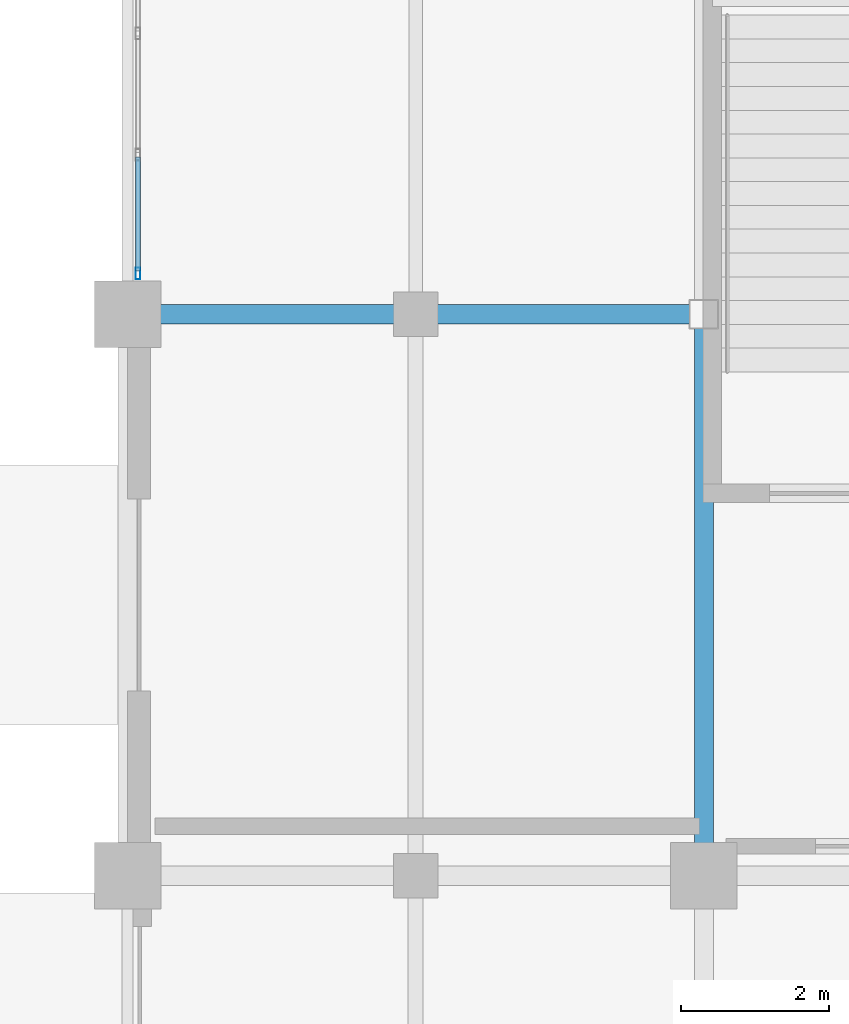
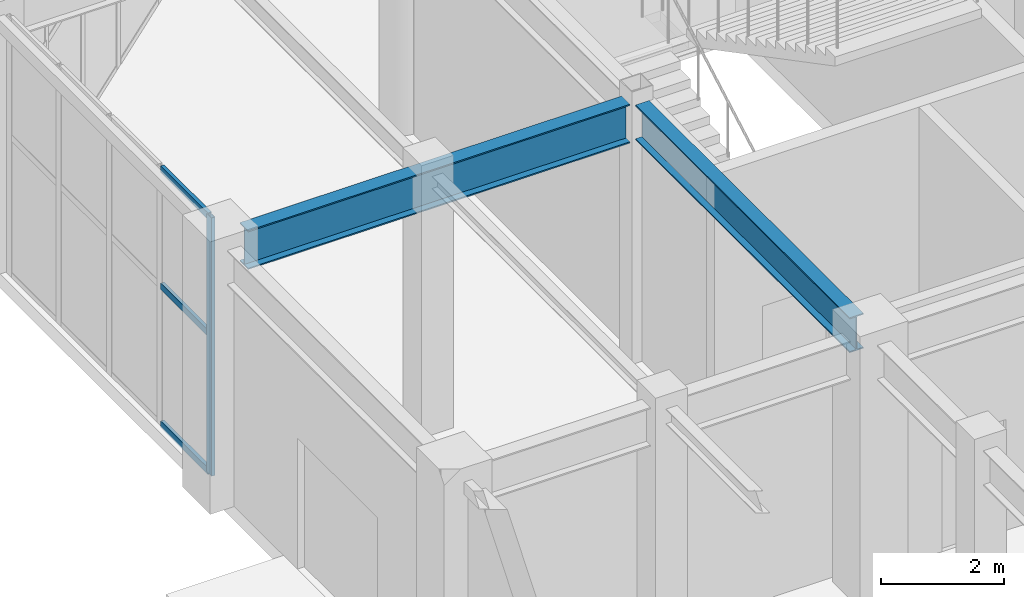
# One storey, part 81 of 139: 4 members, 2 beams, 1 element without a shape of its own.
"""IFC4 building model written with IfcOpenShell, lengths in metres."""

from ifc_helpers import new_model, si_unit, direction, frame, origin, origin_2d, place, context, subcontext, project, spatial, hollow_rectangle, i_section, extrude, material, layer, layer_set, material_profile, profile_set, type_object, element, aggregate, save


model = new_model("IFC4")

# Units and contexts
model_context = context("Model", 3, precision=1e-05, world=origin(), true_north=direction((0.0, 1.0)))
body_context = subcontext(model_context, "Body", "Model", "MODEL_VIEW")
ifc_project = project(units=[si_unit("LENGTHUNIT", "METRE"), si_unit("AREAUNIT", "SQUARE_METRE"), si_unit("VOLUMEUNIT", "CUBIC_METRE"), si_unit("PLANEANGLEUNIT", "RADIAN"), si_unit("MASSUNIT", "GRAM", prefix="KILO")], contexts=[model_context])

# Site, building, storey
site_placement = place(None, origin())
site = spatial("IfcSite", under=ifc_project, at=site_placement, CompositionType="ELEMENT")
building_placement = place(site_placement, origin())
building = spatial("IfcBuilding", under=site, at=building_placement, Name="Xicomal Pleat Aquarium", CompositionType="ELEMENT")
storey_placement = place(building_placement, origin())
storey = spatial("IfcBuildingStorey", under=building, at=storey_placement, Name="L01", CompositionType="ELEMENT", Elevation=0.0)

# Beams
ifc_material_1 = material(Name="Structural steel A992 Gr 50", Category="steel")
ifc_material_profile_1 = material_profile(ifc_material_1, i_section(OverallWidth=0.256103515625, OverallDepth=0.693115234375, WebThickness=0.014404296875, FlangeThickness=0.023681640625, at=origin_2d()), Name="IR 690x170")
ifc_profile_set_1 = profile_set([ifc_material_profile_1], Name="Structural steel A992 Gr 50")
beam_type_1 = type_object("IfcBeamType", Name="BM-STL-IR690", PredefinedType="BEAM", material=ifc_profile_set_1)
beam_1_placement = place(storey_placement, frame((141.60009765625, 15.64501953125, 4.7734375), z_axis=(0.0, 1.0, 0.0), x_axis=(-1.0, 0.0, 0.0)))
element("IfcBeam", 1, at=beam_1_placement, inside=storey, type_object=beam_type_1, Name="L01 framing beam FGY-L01-18-C-D", PredefinedType="BEAM", context=body_context, shape_type="SweptSolid", body=[
    extrude(i_section(OverallWidth=0.256103515625, OverallDepth=0.693115234375, WebThickness=0.014404296875, FlangeThickness=0.023681640625, at=origin_2d()), origin(), (0.0, 0.0, 1.0), 6.9599609375),
])
ifc_material_2 = material(Name="Structural steel A992 Gr 50", Category="steel")
ifc_material_profile_2 = material_profile(ifc_material_2, i_section(OverallWidth=0.26806640625, OverallDepth=0.77001953125, WebThickness=0.015625, FlangeThickness=0.025390625, at=origin_2d()), Name="IR 760x196")
ifc_profile_set_2 = profile_set([ifc_material_profile_2], Name="Structural steel A992 Gr 50")
beam_type_2 = type_object("IfcBeamType", Name="BM-STL-IR760", PredefinedType="BEAM", material=ifc_profile_set_2)
beam_2_placement = place(storey_placement, frame((134.2451171875, 22.800048828125, 4.735107421875), z_axis=(1.0, 0.0, 0.0), x_axis=(0.0, 1.0, 0.0)))
element("IfcBeam", 2, at=beam_2_placement, inside=storey, type_object=beam_type_2, Name="L01 framing beam FGX-L01-17-18-D", PredefinedType="BEAM", context=body_context, shape_type="SweptSolid", body=[
    extrude(i_section(OverallWidth=0.26806640625, OverallDepth=0.77001953125, WebThickness=0.015625, FlangeThickness=0.025390625, at=origin_2d()), origin(), (0.0, 0.0, 1.0), 7.159912109375),
])

# Curtain wall, members
ifc_material_3 = material(Name="Bronze anodized aluminium 6063-T6", Category="aluminium")
ifc_layer = layer(ifc_material_3, 0.159912109375)
ifc_layer_set = layer_set([ifc_layer], Name="Bronze anodized aluminium 6063-T6")
curtain_wall_type = type_object("IfcCurtainWallType", Name="CW-SYS-01", PredefinedType="NOTDEFINED", material=ifc_layer_set)
curtain_wall_placement = place(storey_placement, origin())
curtain_wall = element("IfcCurtainWall", 3, at=curtain_wall_placement, inside=storey, type_object=curtain_wall_type, Name="L01 unitised curtain wall CW-L01-063", PredefinedType="NOTDEFINED")
ifc_material_4 = material(Name="Bronze anodized aluminium 6063-T6", Category="aluminium")
ifc_material_profile_3 = material_profile(ifc_material_4, hollow_rectangle(XDim=0.06494140625, YDim=0.159912109375, WallThickness=0.00390625, at=origin_2d()), Name="ALU MULL 65x160")
ifc_profile_set_3 = profile_set([ifc_material_profile_3], Name="Bronze anodized aluminium 6063-T6")
member_type_1 = type_object("IfcMemberType", Name="CWM-65x160", PredefinedType="MULLION", material=ifc_profile_set_3)
member_1_placement = place(storey_placement, frame((133.93994140625, 23.3525390625, 0.0), z_axis=(0.0, 0.0, 1.0), x_axis=(-1.0, 0.0, 0.0)))
member_1 = element("IfcMember", 4, at=member_1_placement, type_object=member_type_1, Name="CW-01 mullion 1", PredefinedType="MULLION", context=body_context, shape_type="SweptSolid", body=[
    extrude(hollow_rectangle(XDim=0.06494140625, YDim=0.159912109375, WallThickness=0.00390625, at=origin_2d()), origin(), (0.0, 0.0, 1.0), 5.1201171875),
])
ifc_material_5 = material(Name="Bronze anodized aluminium 6063-T6", Category="aluminium")
ifc_material_profile_4 = material_profile(ifc_material_5, hollow_rectangle(XDim=0.06494140625, YDim=0.1298828125, WallThickness=0.00390625, at=origin_2d()), Name="ALU TRAN 65x130")
ifc_profile_set_4 = profile_set([ifc_material_profile_4], Name="Bronze anodized aluminium 6063-T6")
member_type_2 = type_object("IfcMemberType", Name="CWT-65x130", PredefinedType="USERDEFINED", material=ifc_profile_set_4)
member_2_placement = place(storey_placement, frame((133.93994140625, 23.385009765625, 0.032470703125), z_axis=(0.0, 1.0, 0.0), x_axis=(-1.0, 0.0, 0.0)))
member_2 = element("IfcMember", 5, at=member_2_placement, type_object=member_type_2, Name="CW-01 transom 1.1", ObjectType="TRANSOM", PredefinedType="USERDEFINED", context=body_context, shape_type="SweptSolid", body=[
    extrude(hollow_rectangle(XDim=0.06494140625, YDim=0.1298828125, WallThickness=0.00390625, at=origin_2d()), origin(), (0.0, 0.0, 1.0), 1.54248046875),
])
member_3_placement = place(storey_placement, frame((133.93994140625, 23.385009765625, 2.764892578125), z_axis=(0.0, 1.0, 0.0), x_axis=(-1.0, 0.0, 0.0)))
member_3 = element("IfcMember", 6, at=member_3_placement, type_object=member_type_2, Name="CW-01 transom 1.2", ObjectType="TRANSOM", PredefinedType="USERDEFINED", context=body_context, shape_type="SweptSolid", body=[
    extrude(hollow_rectangle(XDim=0.06494140625, YDim=0.1298828125, WallThickness=0.00390625, at=origin_2d()), origin(), (0.0, 0.0, 1.0), 1.54248046875),
])
member_4_placement = place(storey_placement, frame((133.93994140625, 23.385009765625, 5.08740234375), z_axis=(0.0, 1.0, 0.0), x_axis=(-1.0, 0.0, 0.0)))
member_4 = element("IfcMember", 7, at=member_4_placement, type_object=member_type_2, Name="CW-01 transom 1.3", ObjectType="TRANSOM", PredefinedType="USERDEFINED", context=body_context, shape_type="SweptSolid", body=[
    extrude(hollow_rectangle(XDim=0.06494140625, YDim=0.1298828125, WallThickness=0.00390625, at=origin_2d()), origin(), (0.0, 0.0, 1.0), 1.54248046875),
])
aggregate(curtain_wall, [member_1, member_2, member_3, member_4])

save(model, "model.ifc")
